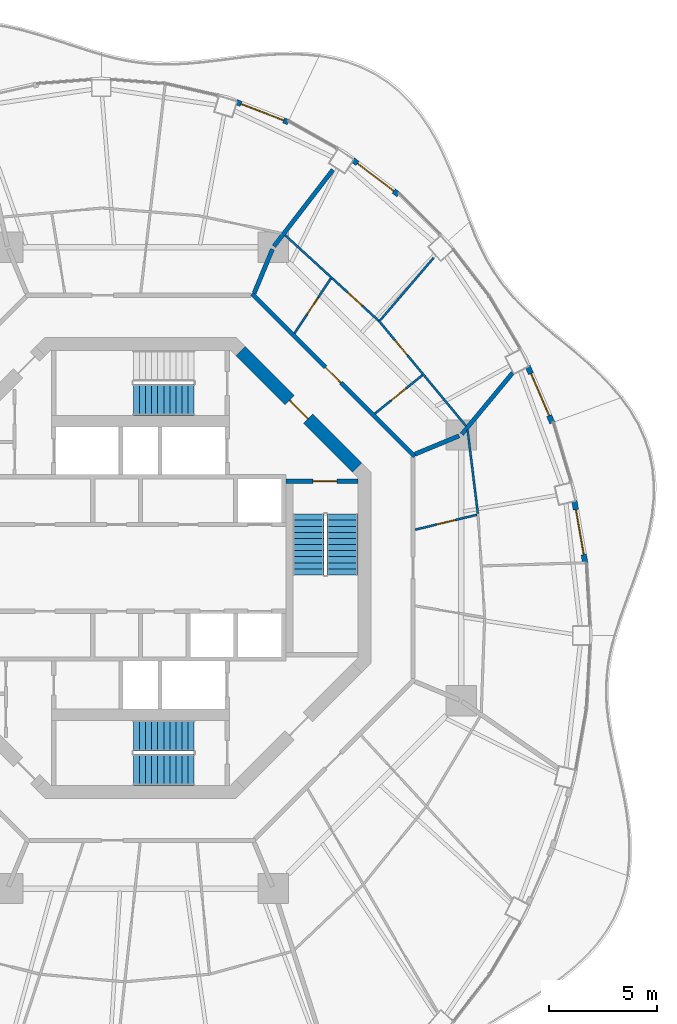
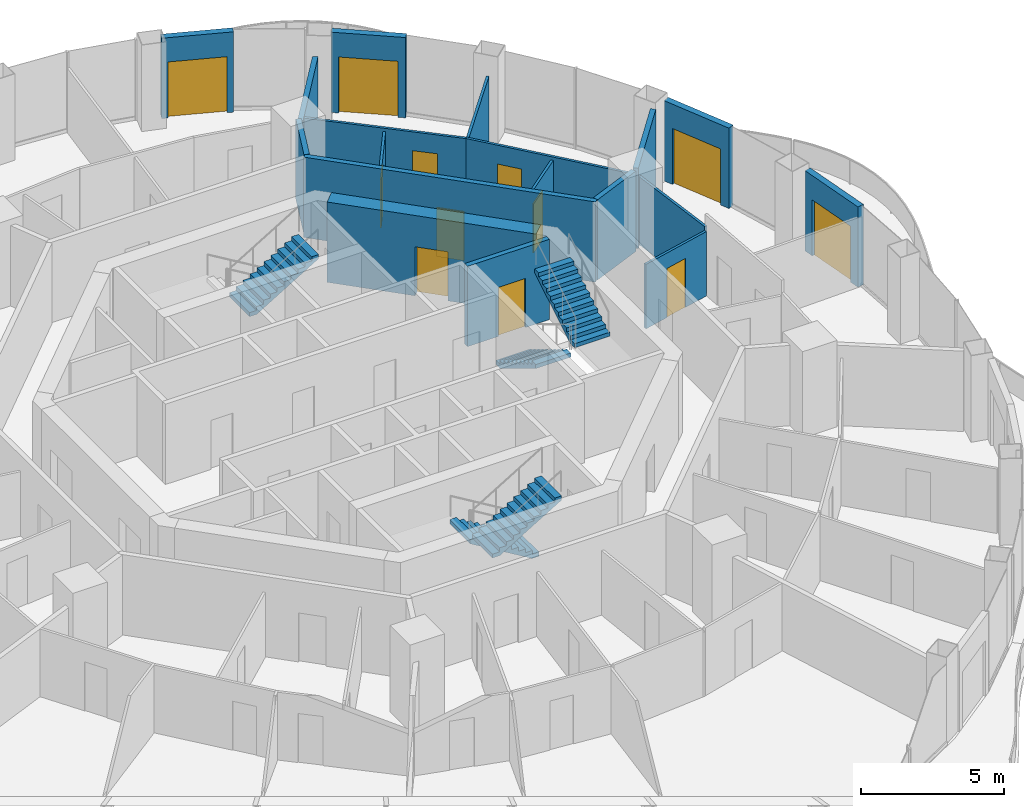
# One storey, part 14 of 18: 18 walls, 12 doors, 5 stair flights, 12 openings, 3 elements without a shape of their own.
"""IFC4 building model written with IfcOpenShell, lengths in metres."""

from ifc_helpers import new_model, si_unit, direction, frame, frame_2d, origin, place, context, subcontext, project, spatial, polyline, rectangle, outline, extrude, material, layer, layer_set, type_object, element, fill, aggregate, save


model = new_model("IFC4")

# Units and contexts
model_context = context("Model", 3, precision=1e-05, world=origin(), true_north=direction((0.0, 1.0)))
body_context = subcontext(model_context, "Body", "Model", "MODEL_VIEW")
ifc_project = project(units=[si_unit("LENGTHUNIT", "METRE"), si_unit("AREAUNIT", "SQUARE_METRE"), si_unit("VOLUMEUNIT", "CUBIC_METRE"), si_unit("PLANEANGLEUNIT", "RADIAN"), si_unit("MASSUNIT", "GRAM", prefix="KILO")], contexts=[model_context])

# Site, building, storey
site_placement = place(None, origin())
site = spatial("IfcSite", under=ifc_project, at=site_placement, CompositionType="ELEMENT")
building_placement = place(site_placement, origin())
building = spatial("IfcBuilding", under=site, at=building_placement, Name="Nagisa Residences", CompositionType="ELEMENT")
storey_placement = place(building_placement, frame((0.0, 0.0, 284.39990234375)))
storey = spatial("IfcBuildingStorey", under=building, at=storey_placement, Name="L72", CompositionType="ELEMENT", Elevation=284.39990234375)

# Walls
ifc_material_1 = material(Name="Gypsum board on steel studs", Category="steel")
ifc_layer_1 = layer(ifc_material_1, 0.199951171875)
ifc_layer_set_1 = layer_set([ifc_layer_1], Name="Apartment compartment wall EI60 200")
wall_type_1 = type_object("IfcWallType", Name="Apartment compartment wall EI60 200", PredefinedType="PARTITIONING", material=ifc_layer_set_1)
wall_1_placement = place(storey_placement, frame((12.6572265625, 5.24267578125, 0.0), z_axis=(0.0, 0.0, 1.0), x_axis=(0.923853160736, 0.382747093259, 0.0)))
element("IfcWall", 1, at=wall_1_placement, inside=storey, type_object=wall_type_1, Name="wall:L72:u00", PredefinedType="PARTITIONING", context=body_context, shape_type="SweptSolid", body=[
    extrude(rectangle(XDim=2.199951171875, YDim=0.199951171875, at=frame_2d((1.10009765625, 0.0))), origin(), (0.0, 0.0, 1.0), 3.440185546875),
])
wall_2_placement = place(storey_placement, frame((14.81396484375, 6.161376953125, 0.0), z_axis=(0.0, 0.0, 1.0), x_axis=(0.638050520313, 0.769994502272, 0.0)))
element("IfcWall", 2, at=wall_2_placement, inside=storey, type_object=wall_type_1, Name="wall:L72:u01", PredefinedType="PARTITIONING", context=body_context, shape_type="SweptSolid", body=[
    extrude(rectangle(XDim=3.6728515625, YDim=0.199951171875, at=frame_2d((1.83642578125, 0.0))), origin(), (0.0, 0.0, 1.0), 3.440185546875),
])
wall_3_placement = place(storey_placement, frame((5.24267578125, 12.6572265625, 0.0), z_axis=(0.0, 0.0, 1.0), x_axis=(0.382691608661, 0.923876145736, 0.0)))
element("IfcWall", 3, at=wall_3_placement, inside=storey, type_object=wall_type_1, Name="wall:L72:u02", PredefinedType="PARTITIONING", context=body_context, shape_type="SweptSolid", body=[
    extrude(rectangle(XDim=2.19970703125, YDim=0.199951171875, at=frame_2d((1.099853515625, 0.0))), origin(), (0.0, 0.0, 1.0), 3.440185546875),
])
wall_4_placement = place(storey_placement, frame((6.153564453125, 14.821533203125, 0.0), z_axis=(0.0, 0.0, 1.0), x_axis=(0.610687612043, 0.791871606068, 0.0)))
element("IfcWall", 4, at=wall_4_placement, inside=storey, type_object=wall_type_1, Name="wall:L72:u03", PredefinedType="PARTITIONING", context=body_context, shape_type="SweptSolid", body=[
    extrude(rectangle(XDim=4.454833984375, YDim=0.199951171875, at=frame_2d((2.2275390625, 0.0))), origin(), (0.0, 0.0, 1.0), 2.905029296875),
])

# Wall, opening, door
ifc_material_2 = material(Name="Gypsum board on steel studs", Category="steel")
ifc_layer_2 = layer(ifc_material_2, 0.199951171875)
ifc_layer_set_2 = layer_set([ifc_layer_2], Name="Apartment entry wall EI60 200")
wall_type_2 = type_object("IfcWallType", Name="Apartment entry wall EI60 200", PredefinedType="PARTITIONING", material=ifc_layer_set_2)
wall_5_placement = place(storey_placement, frame((12.635498046875, 5.1337890625, 0.0), z_axis=(0.0, 0.0, 1.0), x_axis=(-0.707106781187, 0.707106781187, 0.0)))
wall_5 = element("IfcWall", 5, at=wall_5_placement, inside=storey, type_object=wall_type_2, Name="wall:L72:u15", PredefinedType="PARTITIONING", context=body_context, shape_type="SweptSolid", body=[
    extrude(rectangle(XDim=10.609130859375, YDim=0.199951171875, at=frame_2d((5.3046875, 0.0))), origin(), (0.0, 0.0, 1.0), 3.440185546875),
])
opening_1_placement = place(wall_5_placement, frame((4.804443359375, 0.0, 0.0)))
opening_1 = element("IfcOpeningElement", 6, at=opening_1_placement, cuts=wall_5, Name="Opening L72-U25", PredefinedType="OPENING", context=body_context, shape_type="SweptSolid", body=[
    extrude(rectangle(XDim=1.0, YDim=2.10009765625, at=frame_2d((0.5, 1.050048828125))), frame((0.0, 0.10986328125, 0.0), z_axis=(0.0, -1.0, 0.0), x_axis=(1.0, 0.0, 0.0)), (0.0, 0.0, 1.0), 0.219970703125),
])
ifc_material_3 = material(Name="Timber fire door set", Category="wood")
door_type_1 = type_object("IfcDoorType", Name="Apartment entry door FD30S 1000x2100", OperationType="NOTDEFINED", PredefinedType="DOOR", material=ifc_material_3)
door_1_placement = place(opening_1_placement, frame((1.0, 0.0, 0.0), x_axis=(-1.0, 0.0, 0.0)))
door_1 = element("IfcDoor", 7, at=door_1_placement, inside=storey, type_object=door_type_1, Name="Entry door, Apartment 72E", OperationType="SINGLE_SWING_RIGHT", OverallHeight=2.10009765625, OverallWidth=1.0, PredefinedType="DOOR", context=body_context, shape_type="SweptSolid", body=[
    extrude(rectangle(XDim=1.0, YDim=2.10009765625, at=frame_2d((0.5, 1.050048828125))), frame((0.0, 0.02490234375, 0.0), z_axis=(0.0, -1.0, 0.0), x_axis=(1.0, 0.0, 0.0)), (0.0, 0.0, 1.0), 0.050048828125),
])
fill(opening_1, door_1)

ifc_material_4 = material(Name="Gypsum board on steel studs", Category="steel")
ifc_layer_3 = layer(ifc_material_4, 0.10009765625)
ifc_layer_set_3 = layer_set([ifc_layer_3], Name="Apartment partition 100")
wall_type_3 = type_object("IfcWallType", Name="Apartment partition 100", PredefinedType="PARTITIONING", material=ifc_layer_set_3)
wall_6_placement = place(storey_placement, frame((12.661865234375, 1.75830078125, 0.0), z_axis=(0.0, 0.0, 1.0), x_axis=(0.972004827836, 0.234960879007, 0.0)))
wall_6 = element("IfcWall", 8, at=wall_6_placement, inside=storey, type_object=wall_type_3, Name="wall:L72:u26", PredefinedType="PARTITIONING", context=body_context, shape_type="SweptSolid", body=[
    extrude(rectangle(XDim=2.93017578125, YDim=0.10009765625, at=frame_2d((1.465087890625, 0.0))), origin(), (0.0, 0.0, 1.0), 2.76220703125),
])
opening_2_placement = place(wall_6_placement, frame((1.014892578125, 0.0, 0.0)))
opening_2 = element("IfcOpeningElement", 9, at=opening_2_placement, cuts=wall_6, Name="Opening L72-U22", PredefinedType="OPENING", context=body_context, shape_type="SweptSolid", body=[
    extrude(rectangle(XDim=0.89990234375, YDim=2.10009765625, at=frame_2d((0.449951171875, 1.050048828125))), frame((0.0, 0.06005859375, 0.0), z_axis=(0.0, -1.0, 0.0), x_axis=(1.0, 0.0, 0.0)), (0.0, 0.0, 1.0), 0.1201171875),
])
ifc_material_5 = material(Name="Timber door set", Category="wood")
door_type_2 = type_object("IfcDoorType", Name="Apartment door 900x2100", OperationType="NOTDEFINED", PredefinedType="DOOR", material=ifc_material_5)
door_2_placement = place(opening_2_placement, origin())
door_2 = element("IfcDoor", 10, at=door_2_placement, inside=storey, type_object=door_type_2, Name="Door to family bathroom, Apartment 72D", OperationType="SINGLE_SWING_RIGHT", OverallHeight=2.10009765625, OverallWidth=0.89990234375, PredefinedType="DOOR", context=body_context, shape_type="SweptSolid", body=[
    extrude(rectangle(XDim=0.89990234375, YDim=2.10009765625, at=frame_2d((0.449951171875, 1.050048828125))), frame((0.0, 0.02490234375, 0.0), z_axis=(0.0, -1.0, 0.0), x_axis=(1.0, 0.0, 0.0)), (0.0, 0.0, 1.0), 0.050048828125),
])
fill(opening_2, door_2)

# Wall
wall_7_placement = place(storey_placement, frame((15.552490234375, 2.50830078125, 0.0), z_axis=(0.0, 0.0, 1.0), x_axis=(-0.12196293976, 0.992534654974, 0.0)))
element("IfcWall", 11, at=wall_7_placement, inside=storey, type_object=wall_type_3, Name="wall:L72:u27", PredefinedType="PARTITIONING", context=body_context, shape_type="SweptSolid", body=[
    extrude(rectangle(XDim=3.887451171875, YDim=0.10009765625, at=frame_2d((1.94384765625, 0.0))), origin(), (0.0, 0.0, 1.0), 2.905029296875),
])

# Wall, opening, door
wall_8_placement = place(storey_placement, frame((15.00244140625, 6.54296875, 0.0), z_axis=(0.0, 0.0, 1.0), x_axis=(-0.637932656528, 0.770092154054, 0.0)))
wall_8 = element("IfcWall", 12, at=wall_8_placement, inside=storey, type_object=wall_type_3, Name="wall:L72:u28", PredefinedType="PARTITIONING", context=body_context, shape_type="SweptSolid", body=[
    extrude(rectangle(XDim=6.310546875, YDim=0.10009765625, at=frame_2d((3.1552734375, 0.0))), origin(), (0.0, 0.0, 1.0), 2.905029296875),
])
opening_3_placement = place(wall_8_placement, frame((4.220458984375, 0.0, 0.0)))
opening_3 = element("IfcOpeningElement", 13, at=opening_3_placement, cuts=wall_8, Name="Opening L72-U28", PredefinedType="OPENING", context=body_context, shape_type="SweptSolid", body=[
    extrude(rectangle(XDim=0.89990234375, YDim=2.10009765625, at=frame_2d((0.449951171875, 1.050048828125))), frame((0.0, 0.06005859375, 0.0), z_axis=(0.0, -1.0, 0.0), x_axis=(1.0, 0.0, 0.0)), (0.0, 0.0, 1.0), 0.1201171875),
])
door_3_placement = place(opening_3_placement, frame((0.89990234375, 0.0, 0.0), x_axis=(-1.0, 0.0, 0.0)))
door_3 = element("IfcDoor", 14, at=door_3_placement, inside=storey, type_object=door_type_2, Name="Door to master bedroom, Apartment 72E", OperationType="SINGLE_SWING_LEFT", OverallHeight=2.10009765625, OverallWidth=0.89990234375, PredefinedType="DOOR", context=body_context, shape_type="SweptSolid", body=[
    extrude(rectangle(XDim=0.89990234375, YDim=2.10009765625, at=frame_2d((0.449951171875, 1.050048828125))), frame((0.0, 0.02490234375, 0.0), z_axis=(0.0, -1.0, 0.0), x_axis=(1.0, 0.0, 0.0)), (0.0, 0.0, 1.0), 0.050048828125),
])
fill(opening_3, door_3)

wall_9_placement = place(storey_placement, frame((10.802490234375, 7.107421875, 0.0), z_axis=(0.0, 0.0, 1.0), x_axis=(0.777526610395, 0.628850037868, 0.0)))
wall_9 = element("IfcWall", 15, at=wall_9_placement, inside=storey, type_object=wall_type_3, Name="wall:L72:u29", PredefinedType="PARTITIONING", context=body_context, shape_type="SweptSolid", body=[
    extrude(rectangle(XDim=2.824462890625, YDim=0.10009765625, at=frame_2d((1.412109375, 0.0))), origin(), (0.0, 0.0, 1.0), 2.76220703125),
])
opening_4_placement = place(wall_9_placement, frame((0.962158203125, 0.0, 0.0)))
opening_4 = element("IfcOpeningElement", 16, at=opening_4_placement, cuts=wall_9, Name="Opening L72-U26", PredefinedType="OPENING", context=body_context, shape_type="SweptSolid", body=[
    extrude(rectangle(XDim=0.89990234375, YDim=2.10009765625, at=frame_2d((0.449951171875, 1.050048828125))), frame((0.0, 0.06005859375, 0.0), z_axis=(0.0, -1.0, 0.0), x_axis=(1.0, 0.0, 0.0)), (0.0, 0.0, 1.0), 0.1201171875),
])
door_4_placement = place(opening_4_placement, frame((0.89990234375, 0.0, 0.0), x_axis=(-1.0, 0.0, 0.0)))
door_4 = element("IfcDoor", 17, at=door_4_placement, inside=storey, type_object=door_type_2, Name="Door to family bathroom, Apartment 72E", OperationType="SINGLE_SWING_LEFT", OverallHeight=2.10009765625, OverallWidth=0.89990234375, PredefinedType="DOOR", context=body_context, shape_type="SweptSolid", body=[
    extrude(rectangle(XDim=0.89990234375, YDim=2.10009765625, at=frame_2d((0.449951171875, 1.050048828125))), frame((0.0, 0.02490234375, 0.0), z_axis=(0.0, -1.0, 0.0), x_axis=(1.0, 0.0, 0.0)), (0.0, 0.0, 1.0), 0.050048828125),
])
fill(opening_4, door_4)

# Wall
wall_10_placement = place(storey_placement, frame((11.041259765625, 11.402099609375, 0.0), z_axis=(0.0, 0.0, 1.0), x_axis=(0.650558544325, 0.759456108282, 0.0)))
element("IfcWall", 18, at=wall_10_placement, inside=storey, type_object=wall_type_3, Name="wall:L72:u30", PredefinedType="PARTITIONING", context=body_context, shape_type="SweptSolid", body=[
    extrude(rectangle(XDim=3.800048828125, YDim=0.10009765625, at=frame_2d((1.89990234375, 0.0))), origin(), (0.0, 0.0, 1.0), 2.905029296875),
])

# Wall, opening, door
wall_11_placement = place(storey_placement, frame((10.9716796875, 11.397705078125, 0.0), z_axis=(0.0, 0.0, 1.0), x_axis=(-0.737830272434, 0.674986288069, 0.0)))
wall_11 = element("IfcWall", 19, at=wall_11_placement, inside=storey, type_object=wall_type_3, Name="wall:L72:u31", PredefinedType="PARTITIONING", context=body_context, shape_type="SweptSolid", body=[
    extrude(rectangle(XDim=5.827392578125, YDim=0.10009765625, at=frame_2d((2.91357421875, 0.0))), origin(), (0.0, 0.0, 1.0), 2.905029296875),
])
opening_5_placement = place(wall_11_placement, frame((1.019287109375, 0.0, 0.0)))
opening_5 = element("IfcOpeningElement", 20, at=opening_5_placement, cuts=wall_11, Name="Opening L72-U29", PredefinedType="OPENING", context=body_context, shape_type="SweptSolid", body=[
    extrude(rectangle(XDim=0.89990234375, YDim=2.10009765625, at=frame_2d((0.449951171875, 1.050048828125))), frame((0.0, 0.06005859375, 0.0), z_axis=(0.0, -1.0, 0.0), x_axis=(1.0, 0.0, 0.0)), (0.0, 0.0, 1.0), 0.1201171875),
])
door_5_placement = place(opening_5_placement, frame((0.89990234375, 0.0, 0.0), x_axis=(-1.0, 0.0, 0.0)))
door_5 = element("IfcDoor", 21, at=door_5_placement, inside=storey, type_object=door_type_2, Name="Door to kitchen, Apartment 72E", OperationType="SINGLE_SWING_RIGHT", OverallHeight=2.10009765625, OverallWidth=0.89990234375, PredefinedType="DOOR", context=body_context, shape_type="SweptSolid", body=[
    extrude(rectangle(XDim=0.89990234375, YDim=2.10009765625, at=frame_2d((0.449951171875, 1.050048828125))), frame((0.0, 0.02490234375, 0.0), z_axis=(0.0, -1.0, 0.0), x_axis=(1.0, 0.0, 0.0)), (0.0, 0.0, 1.0), 0.050048828125),
])
fill(opening_5, door_5)

wall_12_placement = place(storey_placement, frame((7.099853515625, 10.80810546875, 0.0), z_axis=(0.0, 0.0, 1.0), x_axis=(0.55204370542, 0.833815175747, 0.0)))
wall_12 = element("IfcWall", 22, at=wall_12_placement, inside=storey, type_object=wall_type_3, Name="wall:L72:u32", PredefinedType="PARTITIONING", context=body_context, shape_type="SweptSolid", body=[
    extrude(rectangle(XDim=3.0361328125, YDim=0.10009765625, at=frame_2d((1.51806640625, 0.0))), origin(), (0.0, 0.0, 1.0), 2.76220703125),
])
opening_6_placement = place(wall_12_placement, frame((1.068115234375, 0.0, 0.0)))
opening_6 = element("IfcOpeningElement", 23, at=opening_6_placement, cuts=wall_12, Name="Opening L72-U27", PredefinedType="OPENING", context=body_context, shape_type="SweptSolid", body=[
    extrude(rectangle(XDim=0.89990234375, YDim=2.10009765625, at=frame_2d((0.449951171875, 1.050048828125))), frame((0.0, 0.06005859375, 0.0), z_axis=(0.0, -1.0, 0.0), x_axis=(1.0, 0.0, 0.0)), (0.0, 0.0, 1.0), 0.1201171875),
])
door_6_placement = place(opening_6_placement, origin())
door_6 = element("IfcDoor", 24, at=door_6_placement, inside=storey, type_object=door_type_2, Name="Door to family bathroom, Apartment 72E", OperationType="SINGLE_SWING_LEFT", OverallHeight=2.10009765625, OverallWidth=0.89990234375, PredefinedType="DOOR", context=body_context, shape_type="SweptSolid", body=[
    extrude(rectangle(XDim=0.89990234375, YDim=2.10009765625, at=frame_2d((0.449951171875, 1.050048828125))), frame((0.0, 0.02490234375, 0.0), z_axis=(0.0, -1.0, 0.0), x_axis=(1.0, 0.0, 0.0)), (0.0, 0.0, 1.0), 0.050048828125),
])
fill(opening_6, door_6)

ifc_material_6 = material(Name="Precast concrete C40/50", Category="concrete")
ifc_layer_4 = layer(ifc_material_6, 0.25)
ifc_layer_set_4 = layer_set([ifc_layer_4], Name="BALCONY DOOR WALL 250")
wall_type_4 = type_object("IfcWallType", Name="BALCONY DOOR WALL 250", PredefinedType="SOLIDWALL", material=ifc_layer_set_4)
wall_13_placement = place(storey_placement, frame((20.003662109375, 3.07958984375, 0.0), z_axis=(0.0, 0.0, 1.0), x_axis=(0.172182411767, -0.985065082661, 0.0)))
wall_13 = element("IfcWall", 25, at=wall_13_placement, inside=storey, type_object=wall_type_4, Name="wall:L72:bay01", PredefinedType="SOLIDWALL", context=body_context, shape_type="SweptSolid", body=[
    extrude(rectangle(XDim=2.902587890625, YDim=0.25, at=frame_2d((1.451171875, 0.0))), origin(), (0.0, 0.0, 1.0), 3.440185546875),
])
opening_7_placement = place(wall_13_placement, frame((0.401123046875, 0.0, 0.0)))
opening_7 = element("IfcOpeningElement", 26, at=opening_7_placement, cuts=wall_13, Name="Opening BD-L72-01", PredefinedType="OPENING", context=body_context, shape_type="SweptSolid", body=[
    extrude(rectangle(XDim=2.10009765625, YDim=2.39990234375, at=frame_2d((1.050048828125, 1.199951171875))), frame((0.0, 0.135009765625, 0.0), z_axis=(0.0, -1.0, 0.0), x_axis=(1.0, 0.0, 0.0)), (0.0, 0.0, 1.0), 0.27001953125),
])
ifc_material_7 = material(Name="Aluminium and clear glass", Category="aluminium")
door_type_3 = type_object("IfcDoorType", Name="BALCONY SLIDING DOOR 2100x2400", OperationType="SLIDING_TO_LEFT", PredefinedType="DOOR", material=ifc_material_7)
door_7_placement = place(opening_7_placement, origin())
door_7 = element("IfcDoor", 27, at=door_7_placement, inside=storey, type_object=door_type_3, Name="door:L72:bay01", OperationType="SLIDING_TO_LEFT", OverallHeight=2.39990234375, OverallWidth=2.10009765625, PredefinedType="DOOR", context=body_context, shape_type="SweptSolid", body=[
    extrude(rectangle(XDim=2.10009765625, YDim=2.39990234375, at=frame_2d((1.050048828125, 1.199951171875))), frame((0.0, 0.02490234375, 0.0), z_axis=(0.0, -1.0, 0.0), x_axis=(1.0, 0.0, 0.0)), (0.0, 0.0, 1.0), 0.050048828125),
])
fill(opening_7, door_7)

wall_14_placement = place(storey_placement, frame((17.853759765625, 9.289794921875, 0.0), z_axis=(0.0, 0.0, 1.0), x_axis=(0.397597791596, -0.9175598052, 0.0)))
wall_14 = element("IfcWall", 28, at=wall_14_placement, inside=storey, type_object=wall_type_4, Name="wall:L72:bay03", PredefinedType="SOLIDWALL", context=body_context, shape_type="SweptSolid", body=[
    extrude(rectangle(XDim=2.841064453125, YDim=0.25, at=frame_2d((1.42041015625, 0.0))), origin(), (0.0, 0.0, 1.0), 3.440185546875),
])
opening_8_placement = place(wall_14_placement, frame((0.37060546875, 0.0, 0.0)))
opening_8 = element("IfcOpeningElement", 29, at=opening_8_placement, cuts=wall_14, Name="Opening BD-L72-02", PredefinedType="OPENING", context=body_context, shape_type="SweptSolid", body=[
    extrude(rectangle(XDim=2.10009765625, YDim=2.39990234375, at=frame_2d((1.050048828125, 1.199951171875))), frame((0.0, 0.135009765625, 0.0), z_axis=(0.0, -1.0, 0.0), x_axis=(1.0, 0.0, 0.0)), (0.0, 0.0, 1.0), 0.27001953125),
])
door_8_placement = place(opening_8_placement, origin())
door_8 = element("IfcDoor", 30, at=door_8_placement, inside=storey, type_object=door_type_3, Name="door:L72:bay03", OperationType="SLIDING_TO_LEFT", OverallHeight=2.39990234375, OverallWidth=2.10009765625, PredefinedType="DOOR", context=body_context, shape_type="SweptSolid", body=[
    extrude(rectangle(XDim=2.10009765625, YDim=2.39990234375, at=frame_2d((1.050048828125, 1.199951171875))), frame((0.0, 0.02490234375, 0.0), z_axis=(0.0, -1.0, 0.0), x_axis=(1.0, 0.0, 0.0)), (0.0, 0.0, 1.0), 0.050048828125),
])
fill(opening_8, door_8)

wall_15_placement = place(storey_placement, frame((9.79248046875, 18.802001953125, 0.0), z_axis=(0.0, 0.0, 1.0), x_axis=(0.796010739377, -0.605282498339, 0.0)))
wall_15 = element("IfcWall", 31, at=wall_15_placement, inside=storey, type_object=wall_type_4, Name="wall:L72:bay07", PredefinedType="SOLIDWALL", context=body_context, shape_type="SweptSolid", body=[
    extrude(rectangle(XDim=2.640625, YDim=0.25, at=frame_2d((1.3203125, 0.0))), origin(), (0.0, 0.0, 1.0), 3.440185546875),
])
opening_9_placement = place(wall_15_placement, frame((0.270263671875, 0.0, 0.0)))
opening_9 = element("IfcOpeningElement", 32, at=opening_9_placement, cuts=wall_15, Name="Opening BD-L72-03", PredefinedType="OPENING", context=body_context, shape_type="SweptSolid", body=[
    extrude(rectangle(XDim=2.10009765625, YDim=2.39990234375, at=frame_2d((1.050048828125, 1.199951171875))), frame((0.0, 0.135009765625, 0.0), z_axis=(0.0, -1.0, 0.0), x_axis=(1.0, 0.0, 0.0)), (0.0, 0.0, 1.0), 0.27001953125),
])
door_9_placement = place(opening_9_placement, origin())
door_9 = element("IfcDoor", 33, at=door_9_placement, inside=storey, type_object=door_type_3, Name="door:L72:bay07", OperationType="SLIDING_TO_LEFT", OverallHeight=2.39990234375, OverallWidth=2.10009765625, PredefinedType="DOOR", context=body_context, shape_type="SweptSolid", body=[
    extrude(rectangle(XDim=2.10009765625, YDim=2.39990234375, at=frame_2d((1.050048828125, 1.199951171875))), frame((0.0, 0.02490234375, 0.0), z_axis=(0.0, -1.0, 0.0), x_axis=(1.0, 0.0, 0.0)), (0.0, 0.0, 1.0), 0.050048828125),
])
fill(opening_9, door_9)

wall_16_placement = place(storey_placement, frame((4.42919921875, 21.466552734375, 0.0), z_axis=(0.0, 0.0, 1.0), x_axis=(0.93282223778, -0.360336887792, 0.0)))
wall_16 = element("IfcWall", 34, at=wall_16_placement, inside=storey, type_object=wall_type_4, Name="wall:L72:bay09", PredefinedType="SOLIDWALL", context=body_context, shape_type="SweptSolid", body=[
    extrude(rectangle(XDim=2.5537109375, YDim=0.25, at=frame_2d((1.27685546875, 0.0))), origin(), (0.0, 0.0, 1.0), 3.440185546875),
])
opening_10_placement = place(wall_16_placement, frame((0.226806640625, 0.0, 0.0)))
opening_10 = element("IfcOpeningElement", 35, at=opening_10_placement, cuts=wall_16, Name="Opening BD-L72-04", PredefinedType="OPENING", context=body_context, shape_type="SweptSolid", body=[
    extrude(rectangle(XDim=2.10009765625, YDim=2.39990234375, at=frame_2d((1.050048828125, 1.199951171875))), frame((0.0, 0.135009765625, 0.0), z_axis=(0.0, -1.0, 0.0), x_axis=(1.0, 0.0, 0.0)), (0.0, 0.0, 1.0), 0.27001953125),
])
door_10_placement = place(opening_10_placement, origin())
door_10 = element("IfcDoor", 36, at=door_10_placement, inside=storey, type_object=door_type_3, Name="door:L72:bay09", OperationType="SLIDING_TO_LEFT", OverallHeight=2.39990234375, OverallWidth=2.10009765625, PredefinedType="DOOR", context=body_context, shape_type="SweptSolid", body=[
    extrude(rectangle(XDim=2.10009765625, YDim=2.39990234375, at=frame_2d((1.050048828125, 1.199951171875))), frame((0.0, 0.02490234375, 0.0), z_axis=(0.0, -1.0, 0.0), x_axis=(1.0, 0.0, 0.0)), (0.0, 0.0, 1.0), 0.050048828125),
])
fill(opening_10, door_10)

ifc_material_8 = material(Name="Concrete C60", Category="concrete")
ifc_layer_5 = layer(ifc_material_8, 0.60009765625)
ifc_layer_set_5 = layer_set([ifc_layer_5], Name="Core shear wall 600")
wall_type_5 = type_object("IfcWallType", Name="Core shear wall 600", PredefinedType="SHEAR", material=ifc_layer_set_5)
wall_17_placement = place(storey_placement, frame((9.98828125, 4.613037109375, 0.0), z_axis=(0.0, 0.0, 1.0), x_axis=(-0.707106781187, 0.707106781187, 0.0)))
wall_17 = element("IfcWall", 37, at=wall_17_placement, inside=storey, type_object=wall_type_5, Name="wall:L72:core:flat1", PredefinedType="SHEAR", context=body_context, shape_type="SweptSolid", body=[
    extrude(rectangle(XDim=7.601806640625, YDim=0.60009765625, at=frame_2d((3.80078125, 0.0))), origin(), (0.0, 0.0, 1.0), 3.440185546875),
])
opening_11_placement = place(wall_17_placement, frame((3.200927734375, 0.0, 0.0)))
opening_11 = element("IfcOpeningElement", 38, at=opening_11_placement, cuts=wall_17, Name="Opening L72-C21", PredefinedType="OPENING", context=body_context, shape_type="SweptSolid", body=[
    extrude(rectangle(XDim=1.199951171875, YDim=2.10009765625, at=frame_2d((0.60009765625, 1.050048828125))), frame((0.0, 0.31005859375, 0.0), z_axis=(0.0, -1.0, 0.0), x_axis=(1.0, 0.0, 0.0)), (0.0, 0.0, 1.0), 0.6201171875),
])
ifc_material_9 = material(Name="Steel fire door", Category="steel")
door_type_4 = type_object("IfcDoorType", Name="Fire door EI60 1200x2100 single swing", OperationType="NOTDEFINED", PredefinedType="DOOR", material=ifc_material_9)
door_11_placement = place(opening_11_placement, origin())
door_11 = element("IfcDoor", 39, at=door_11_placement, inside=storey, type_object=door_type_4, Name="Firefighting lobby 1 door L72", OperationType="SINGLE_SWING_LEFT", OverallHeight=2.10009765625, OverallWidth=1.199951171875, PredefinedType="DOOR", context=body_context, shape_type="SweptSolid", body=[
    extrude(rectangle(XDim=1.199951171875, YDim=2.10009765625, at=frame_2d((0.60009765625, 1.050048828125))), frame((0.0, 0.02490234375, 0.0), z_axis=(0.0, -1.0, 0.0), x_axis=(1.0, 0.0, 0.0)), (0.0, 0.0, 1.0), 0.050048828125),
])
fill(opening_11, door_11)

ifc_material_10 = material(Name="Concrete C60", Category="concrete")
ifc_layer_6 = layer(ifc_material_10, 0.199951171875)
ifc_layer_set_6 = layer_set([ifc_layer_6], Name="Stair enclosure wall 200")
wall_type_6 = type_object("IfcWallType", Name="Stair enclosure wall 200", PredefinedType="SOLIDWALL", material=ifc_layer_set_6)
wall_18_placement = place(storey_placement, frame((6.699951171875, 4.0, 0.0), z_axis=(0.0, 0.0, 1.0), x_axis=(1.0, 0.0, 0.0)))
wall_18 = element("IfcWall", 40, at=wall_18_placement, inside=storey, type_object=wall_type_6, Name="wall:L72:SE_n", PredefinedType="SOLIDWALL", context=body_context, shape_type="SweptSolid", body=[
    extrude(rectangle(XDim=3.32470703125, YDim=0.199951171875, at=frame_2d((1.662353515625, 0.0))), origin(), (0.0, 0.0, 1.0), 3.440185546875),
])
opening_12_placement = place(wall_18_placement, frame((1.25, 0.0, 0.0)))
opening_12 = element("IfcOpeningElement", 41, at=opening_12_placement, cuts=wall_18, Name="Opening L72-C07", PredefinedType="OPENING", context=body_context, shape_type="SweptSolid", body=[
    extrude(rectangle(XDim=1.10009765625, YDim=2.10009765625, at=frame_2d((0.550048828125, 1.050048828125))), frame((0.0, 0.10986328125, 0.0), z_axis=(0.0, -1.0, 0.0), x_axis=(1.0, 0.0, 0.0)), (0.0, 0.0, 1.0), 0.219970703125),
])
ifc_material_11 = material(Name="Steel fire door", Category="steel")
door_type_5 = type_object("IfcDoorType", Name="Fire door EI90 1100x2100 single swing", OperationType="NOTDEFINED", PredefinedType="DOOR", material=ifc_material_11)
door_12_placement = place(opening_12_placement, frame((1.10009765625, 0.0, 0.0), x_axis=(-1.0, 0.0, 0.0)))
door_12 = element("IfcDoor", 42, at=door_12_placement, inside=storey, type_object=door_type_5, Name="Stair door ST-E L72", OperationType="SINGLE_SWING_LEFT", OverallHeight=2.10009765625, OverallWidth=1.10009765625, PredefinedType="DOOR", context=body_context, shape_type="SweptSolid", body=[
    extrude(rectangle(XDim=1.10009765625, YDim=2.10009765625, at=frame_2d((0.550048828125, 1.050048828125))), frame((0.0, 0.02490234375, 0.0), z_axis=(0.0, -1.0, 0.0), x_axis=(1.0, 0.0, 0.0)), (0.0, 0.0, 1.0), 0.050048828125),
])
fill(opening_12, door_12)

# Stair, stair flights
ifc_material_12 = material(Name="Concrete C60", Category="concrete")
stair_type = type_object("IfcStairType", Name="Exit stair", PredefinedType="HALF_TURN_STAIR", material=ifc_material_12)
stair_1_placement = place(storey_placement, origin())
stair_1 = element("IfcStair", 43, at=stair_1_placement, inside=storey, type_object=stair_type, Name="L72 Exit stair E", PredefinedType="HALF_TURN_STAIR")
ifc_material_13 = material(Name="Concrete C60", Category="concrete")
stair_flight_type = type_object("IfcStairFlightType", Name="Exit stair flight", PredefinedType="STRAIGHT", material=ifc_material_13)
stair_flight_1_placement = place(storey_placement, frame((7.737060546875, 2.47509765625, 0.0), z_axis=(0.0, 0.0, 1.0), x_axis=(0.0, -1.0, 0.0)))
stair_flight_1 = element("IfcStairFlight", 44, at=stair_flight_1_placement, type_object=stair_flight_type, Name="ST-E flight 1", NumberOfRisers=11, NumberOfTreads=10, PredefinedType="STRAIGHT", RiserHeight=0.168181818, TreadLength=0.28, context=body_context, shape_type="SweptSolid", body=[
    extrude(outline(polyline([(0.0, 0.0), (0.0, 0.168212890625), (0.280029296875, 0.168212890625), (0.280029296875, 0.33642578125), (0.56005859375, 0.33642578125), (0.56005859375, 0.504638671875), (0.840087890625, 0.504638671875), (0.840087890625, 0.672607421875), (1.1201171875, 0.672607421875), (1.1201171875, 0.8408203125), (1.39990234375, 0.8408203125), (1.39990234375, 1.009033203125), (1.679931640625, 1.009033203125), (1.679931640625, 1.17724609375), (1.9599609375, 1.17724609375), (1.9599609375, 1.345458984375), (2.239990234375, 1.345458984375), (2.239990234375, 1.513671875), (2.52001953125, 1.513671875), (2.52001953125, 1.681884765625), (2.800048828125, 1.681884765625), (2.800048828125, 1.85009765625), (2.800048828125, 1.5068359375), (0.291015625, 0.0), (0.0, 0.0)])), frame((0.0, 0.71240234375, 0.0), z_axis=(0.0, -1.0, 0.0), x_axis=(1.0, 0.0, 0.0)), (0.0, 0.0, 1.0), 1.425048828125),
])
stair_flight_2_placement = place(storey_placement, frame((9.31201171875, -0.324951171875, 1.85009765625), z_axis=(0.0, 0.0, 1.0), x_axis=(0.0, 1.0, 0.0)))
stair_flight_2 = element("IfcStairFlight", 45, at=stair_flight_2_placement, type_object=stair_flight_type, Name="ST-E flight 2", NumberOfRisers=11, NumberOfTreads=10, PredefinedType="STRAIGHT", RiserHeight=0.168181818, TreadLength=0.28, context=body_context, shape_type="SweptSolid", body=[
    extrude(outline(polyline([(0.0, 0.0), (0.0, 0.168212890625), (0.280029296875, 0.168212890625), (0.280029296875, 0.33642578125), (0.56005859375, 0.33642578125), (0.56005859375, 0.504638671875), (0.840087890625, 0.504638671875), (0.840087890625, 0.672607421875), (1.1201171875, 0.672607421875), (1.1201171875, 0.8408203125), (1.39990234375, 0.8408203125), (1.39990234375, 1.009033203125), (1.679931640625, 1.009033203125), (1.679931640625, 1.17724609375), (1.9599609375, 1.17724609375), (1.9599609375, 1.345458984375), (2.239990234375, 1.345458984375), (2.239990234375, 1.513671875), (2.52001953125, 1.513671875), (2.52001953125, 1.681884765625), (2.800048828125, 1.681884765625), (2.800048828125, 1.85009765625), (2.800048828125, 1.5068359375), (0.291015625, 0.0), (0.0, 0.0)])), frame((0.0, 0.71240234375, 0.0), z_axis=(0.0, -1.0, 0.0), x_axis=(1.0, 0.0, 0.0)), (0.0, 0.0, 1.0), 1.425048828125),
])
aggregate(stair_1, [stair_flight_1, stair_flight_2])

# Stair, stair flight
stair_2_placement = place(storey_placement, origin())
stair_2 = element("IfcStair", 46, at=stair_2_placement, inside=storey, type_object=stair_type, Name="L72 Exit stair N", PredefinedType="HALF_TURN_STAIR")
stair_flight_3_placement = place(storey_placement, frame((-0.324951171875, 7.737060546875, 1.85009765625), z_axis=(0.0, 0.0, 1.0), x_axis=(1.0, 0.0, 0.0)))
stair_flight_3 = element("IfcStairFlight", 47, at=stair_flight_3_placement, type_object=stair_flight_type, Name="ST-N flight 2", NumberOfRisers=11, NumberOfTreads=10, PredefinedType="STRAIGHT", RiserHeight=0.168181818, TreadLength=0.28, context=body_context, shape_type="SweptSolid", body=[
    extrude(outline(polyline([(0.0, 0.0), (0.0, 0.168212890625), (0.280029296875, 0.168212890625), (0.280029296875, 0.33642578125), (0.56005859375, 0.33642578125), (0.56005859375, 0.504638671875), (0.840087890625, 0.504638671875), (0.840087890625, 0.672607421875), (1.1201171875, 0.672607421875), (1.1201171875, 0.8408203125), (1.39990234375, 0.8408203125), (1.39990234375, 1.009033203125), (1.679931640625, 1.009033203125), (1.679931640625, 1.17724609375), (1.9599609375, 1.17724609375), (1.9599609375, 1.345458984375), (2.239990234375, 1.345458984375), (2.239990234375, 1.513671875), (2.52001953125, 1.513671875), (2.52001953125, 1.681884765625), (2.800048828125, 1.681884765625), (2.800048828125, 1.85009765625), (2.800048828125, 1.5068359375), (0.291015625, 0.0), (0.0, 0.0)])), frame((0.0, 0.71240234375, 0.0), z_axis=(0.0, -1.0, 0.0), x_axis=(1.0, 0.0, 0.0)), (0.0, 0.0, 1.0), 1.425048828125),
])
aggregate(stair_2, [stair_flight_3])

# Stair, stair flights
stair_3_placement = place(storey_placement, origin())
stair_3 = element("IfcStair", 48, at=stair_3_placement, inside=storey, type_object=stair_type, Name="L72 Exit stair S", PredefinedType="HALF_TURN_STAIR")
stair_flight_4_placement = place(storey_placement, frame((2.47509765625, -7.737060546875, 0.0), z_axis=(0.0, 0.0, 1.0), x_axis=(-1.0, 0.0, 0.0)))
stair_flight_4 = element("IfcStairFlight", 49, at=stair_flight_4_placement, type_object=stair_flight_type, Name="ST-S flight 1", NumberOfRisers=11, NumberOfTreads=10, PredefinedType="STRAIGHT", RiserHeight=0.168181818, TreadLength=0.28, context=body_context, shape_type="SweptSolid", body=[
    extrude(outline(polyline([(0.0, 0.0), (0.0, 0.168212890625), (0.280029296875, 0.168212890625), (0.280029296875, 0.33642578125), (0.56005859375, 0.33642578125), (0.56005859375, 0.504638671875), (0.840087890625, 0.504638671875), (0.840087890625, 0.672607421875), (1.1201171875, 0.672607421875), (1.1201171875, 0.8408203125), (1.39990234375, 0.8408203125), (1.39990234375, 1.009033203125), (1.679931640625, 1.009033203125), (1.679931640625, 1.17724609375), (1.9599609375, 1.17724609375), (1.9599609375, 1.345458984375), (2.239990234375, 1.345458984375), (2.239990234375, 1.513671875), (2.52001953125, 1.513671875), (2.52001953125, 1.681884765625), (2.800048828125, 1.681884765625), (2.800048828125, 1.85009765625), (2.800048828125, 1.5068359375), (0.291015625, 0.0), (0.0, 0.0)])), frame((0.0, 0.71240234375, 0.0), z_axis=(0.0, -1.0, 0.0), x_axis=(1.0, 0.0, 0.0)), (0.0, 0.0, 1.0), 1.425048828125),
])
stair_flight_5_placement = place(storey_placement, frame((-0.324951171875, -9.31201171875, 1.85009765625), z_axis=(0.0, 0.0, 1.0), x_axis=(1.0, 0.0, 0.0)))
stair_flight_5 = element("IfcStairFlight", 50, at=stair_flight_5_placement, type_object=stair_flight_type, Name="ST-S flight 2", NumberOfRisers=11, NumberOfTreads=10, PredefinedType="STRAIGHT", RiserHeight=0.168181818, TreadLength=0.28, context=body_context, shape_type="SweptSolid", body=[
    extrude(outline(polyline([(0.0, 0.0), (0.0, 0.168212890625), (0.280029296875, 0.168212890625), (0.280029296875, 0.33642578125), (0.56005859375, 0.33642578125), (0.56005859375, 0.504638671875), (0.840087890625, 0.504638671875), (0.840087890625, 0.672607421875), (1.1201171875, 0.672607421875), (1.1201171875, 0.8408203125), (1.39990234375, 0.8408203125), (1.39990234375, 1.009033203125), (1.679931640625, 1.009033203125), (1.679931640625, 1.17724609375), (1.9599609375, 1.17724609375), (1.9599609375, 1.345458984375), (2.239990234375, 1.345458984375), (2.239990234375, 1.513671875), (2.52001953125, 1.513671875), (2.52001953125, 1.681884765625), (2.800048828125, 1.681884765625), (2.800048828125, 1.85009765625), (2.800048828125, 1.5068359375), (0.291015625, 0.0), (0.0, 0.0)])), frame((0.0, 0.71240234375, 0.0), z_axis=(0.0, -1.0, 0.0), x_axis=(1.0, 0.0, 0.0)), (0.0, 0.0, 1.0), 1.425048828125),
])
aggregate(stair_3, [stair_flight_4, stair_flight_5])

save(model, "model.ifc")
